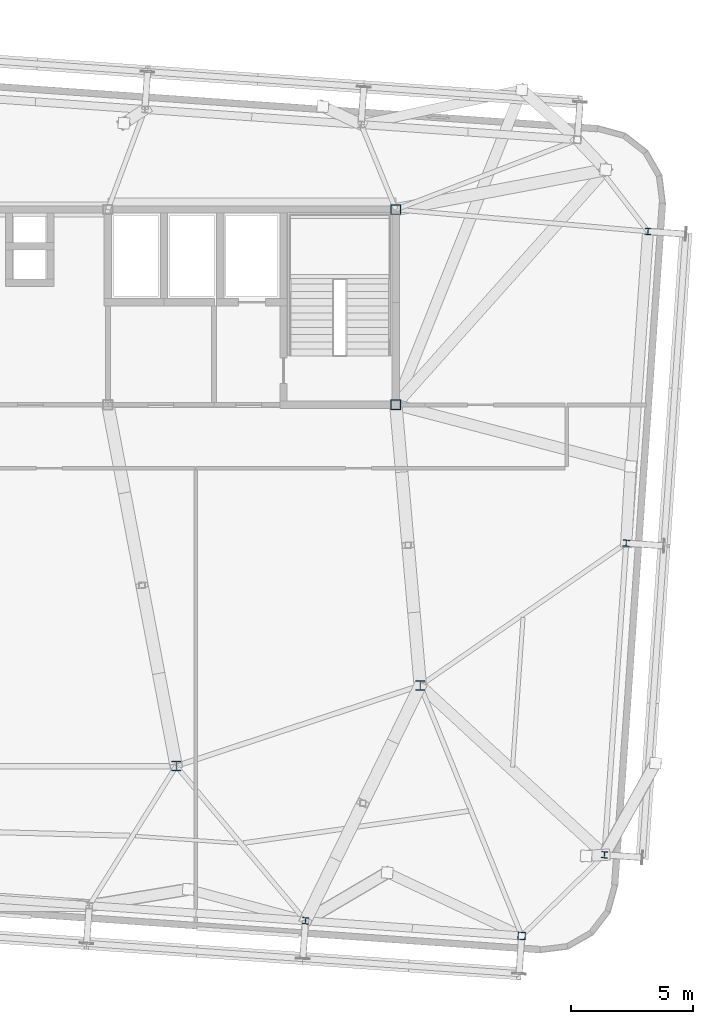
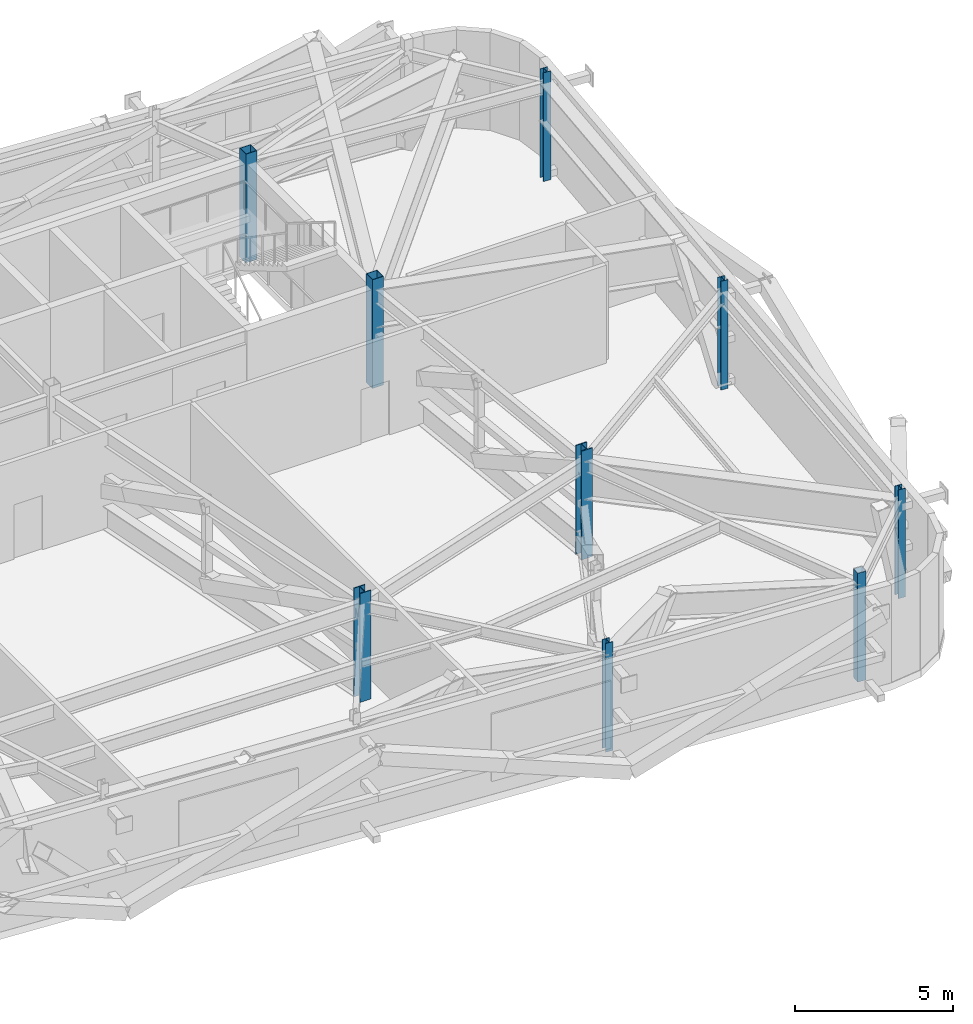
# One storey, part 3 of 24: 9 columns.
"""IFC4 building model written with IfcOpenShell, lengths in metres."""

from ifc_helpers import new_model, si_unit, direction, frame, origin, origin_2d, place, context, subcontext, project, spatial, hollow_rectangle, i_section, extrude, source, transform, mapped, material, material_profile, profile_set, type_object, element, save


model = new_model("IFC4")

# Units and contexts
model_context = context("Model", 3, precision=1e-05, world=origin(), true_north=direction((0.0, 1.0)))
body_context = subcontext(model_context, "Body", "Model", "MODEL_VIEW")
ifc_project = project(units=[si_unit("LENGTHUNIT", "METRE"), si_unit("AREAUNIT", "SQUARE_METRE"), si_unit("VOLUMEUNIT", "CUBIC_METRE"), si_unit("PLANEANGLEUNIT", "RADIAN"), si_unit("MASSUNIT", "GRAM", prefix="KILO")], contexts=[model_context])

# Site, building, storey
site_placement = place(None, origin())
site = spatial("IfcSite", under=ifc_project, at=site_placement, CompositionType="ELEMENT")
building_placement = place(site_placement, origin())
building = spatial("IfcBuilding", under=site, at=building_placement, Name="Taldren Reach Tower", CompositionType="ELEMENT")
storey_placement = place(building_placement, frame((0.0, 0.0, 164.5)))
storey = spatial("IfcBuildingStorey", under=building, at=storey_placement, Name="L50", CompositionType="ELEMENT", Elevation=164.5)

# Columns
ifc_material_1 = material(Name="Steel Gr 450 (C450L0)", Category="steel")
ifc_material_profile_1 = material_profile(ifc_material_1, hollow_rectangle(XDim=0.39990234375, YDim=0.39990234375, WallThickness=0.01611328125, at=origin_2d()), Name="400x400x16.0SHS")
ifc_profile_set_1 = profile_set([ifc_material_profile_1], Name="Steel Gr 450 (C450L0)")
column_type_1 = type_object("IfcColumnType", Name="COL-SHS400", PredefinedType="COLUMN", material=ifc_profile_set_1)
shared_shape_1 = source(origin(), body_context, "Body", "SweptSolid", [
    extrude(hollow_rectangle(XDim=0.39990234375, YDim=0.39990234375, WallThickness=0.01611328125, at=origin_2d()), origin(), (0.0, 0.0, 1.0), 4.199951171875),
])
for number, where, z_axis, x_axis, name in (
    (1, (51.0, 24.0, 0.0), (0.0, 0.0, 1.0), (1.0, 0.0, 0.0), "Mega column MC-C4 L50"),
    (2, (51.0, 32.0, 0.0), (0.0, 0.0, 1.0), (1.0, 0.0, 0.0), "Mega column MC-C8 L50"),
):
    element("IfcColumn", number, at=place(storey_placement, frame(where, z_axis=z_axis, x_axis=x_axis)), inside=storey, type_object=column_type_1, Name=name, PredefinedType="COLUMN", context=body_context, shape_type="MappedRepresentation", body=[
        mapped(shared_shape_1, transform((0.0, 0.0, 0.0), scale=1.0)),
    ])
ifc_material_2 = material(Name="Steel Gr 350 (350PLUS)", Category="steel")
ifc_material_profile_2 = material_profile(ifc_material_2, i_section(OverallWidth=0.39990234375, OverallDepth=0.39599609375, WebThickness=0.02197265625, FlangeThickness=0.033935546875, at=origin_2d()), Name="400WC270")
ifc_profile_set_2 = profile_set([ifc_material_profile_2], Name="Steel Gr 350 (350PLUS)")
column_type_2 = type_object("IfcColumnType", Name="COL-WC400", PredefinedType="COLUMN", material=ifc_profile_set_2)
shared_shape_2 = source(origin(), body_context, "Body", "SweptSolid", [
    extrude(i_section(OverallWidth=0.39990234375, OverallDepth=0.39599609375, WebThickness=0.02197265625, FlangeThickness=0.033935546875, at=origin_2d()), origin(), (0.0, 0.0, 1.0), 4.199951171875),
])
for number, where, z_axis, x_axis, name in (
    (3, (42.0, 9.199951171875, 0.0), (0.0, 0.0, 1.0), (1.0, 0.0, 0.0), "Mega column MC-PJE L50"),
    (4, (52.0, 12.5, 0.0), (0.0, 0.0, 1.0), (1.0, 0.0, 0.0), "Mega column MC-SE L50"),
):
    element("IfcColumn", number, at=place(storey_placement, frame(where, z_axis=z_axis, x_axis=x_axis)), inside=storey, type_object=column_type_2, Name=name, PredefinedType="COLUMN", context=body_context, shape_type="MappedRepresentation", body=[
        mapped(shared_shape_2, transform((0.0, 0.0, 0.0), scale=1.0)),
    ])
ifc_material_profile_3 = material_profile(ifc_material_1, hollow_rectangle(XDim=0.300048828125, YDim=0.300048828125, WallThickness=0.012451171875, at=origin_2d()), Name="300x300x12.5SHS")
ifc_profile_set_3 = profile_set([ifc_material_profile_3], Name="Steel Gr 450 (C450L0)")
column_type_3 = type_object("IfcColumnType", Name="COL-SHS300", PredefinedType="COLUMN", material=ifc_profile_set_3)
shared_shape_3 = source(origin(), body_context, "Body", "SweptSolid", [
    extrude(hollow_rectangle(XDim=0.300048828125, YDim=0.300048828125, WallThickness=0.012451171875, at=origin_2d()), origin(), (0.0, 0.0, 1.0), 4.199951171875),
])
column_placement = place(storey_placement, frame((56.155517578125, 2.2412109375, 0.0), z_axis=(0.0, 0.0, 1.0), x_axis=(0.99756405026, -0.069756473744, 0.0)))
element("IfcColumn", 5, at=column_placement, inside=storey, type_object=column_type_3, Name="Block B3 perimeter column S6 L50", PredefinedType="COLUMN", context=body_context, shape_type="MappedRepresentation", body=[
    mapped(shared_shape_3, transform((0.0, 0.0, 0.0), scale=1.0)),
])
ifc_material_profile_4 = material_profile(ifc_material_2, i_section(OverallWidth=0.256103515625, OverallDepth=0.260009765625, WebThickness=0.010498046875, FlangeThickness=0.017333984375, at=origin_2d()), Name="250UC89.5")
ifc_profile_set_4 = profile_set([ifc_material_profile_4], Name="Steel Gr 350 (350PLUS)")
column_type_4 = type_object("IfcColumnType", Name="COL-UC250", PredefinedType="COLUMN", material=ifc_profile_set_4)
shared_shape_4 = source(origin(), body_context, "Body", "SweptSolid", [
    extrude(i_section(OverallWidth=0.256103515625, OverallDepth=0.260009765625, WebThickness=0.010498046875, FlangeThickness=0.017333984375, at=origin_2d()), origin(), (0.0, 0.0, 1.0), 4.199951171875),
])
for number, where, z_axis, x_axis, name in (
    (6, (47.297119140625, 2.860595703125, 0.0), (0.0, 0.0, 1.0), (0.99756405026, -0.069756473744, 0.0), "Block B3 perimeter column S5 L50"),
    (7, (59.54541015625, 5.562744140625, 0.0), (0.0, 0.0, 1.0), (0.99756405026, -0.069756473744, 0.0), "Block B3 perimeter column E1 L50"),
    (8, (60.438232421875, 18.331787109375, 0.0), (0.0, 0.0, 1.0), (0.99756405026, -0.069756473744, 0.0), "Block B3 perimeter column E2 L50"),
    (9, (61.3310546875, 31.1005859375, 0.0), (0.0, 0.0, 1.0), (0.99756405026, -0.069756473744, 0.0), "Block B3 perimeter column E3 L50"),
):
    element("IfcColumn", number, at=place(storey_placement, frame(where, z_axis=z_axis, x_axis=x_axis)), inside=storey, type_object=column_type_4, Name=name, PredefinedType="COLUMN", context=body_context, shape_type="MappedRepresentation", body=[
        mapped(shared_shape_4, transform((0.0, 0.0, 0.0), scale=1.0)),
    ])

save(model, "model.ifc")
